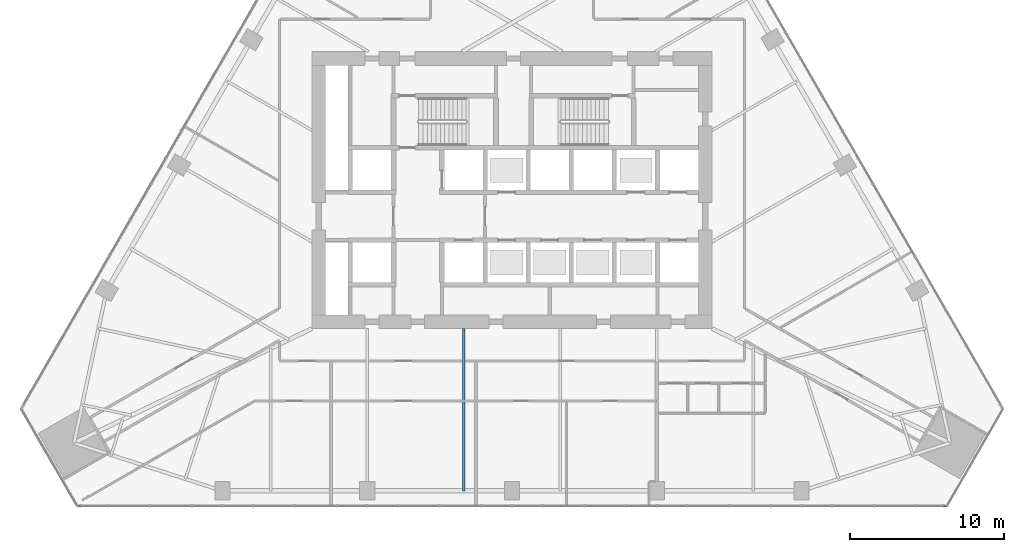
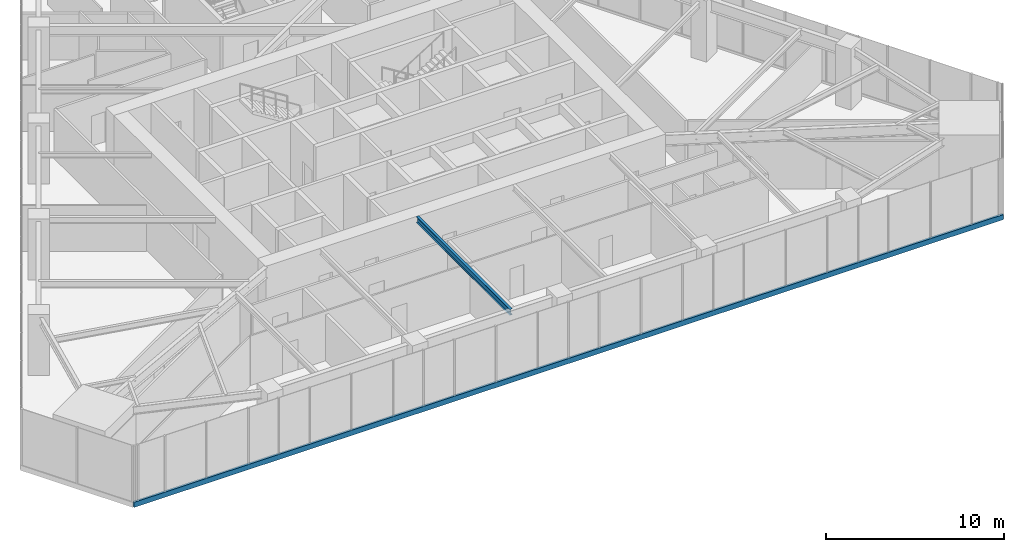
# One storey, part 3 of 21: 1 beam, 1 member, 1 element without a shape of its own.
"""IFC4 building model written with IfcOpenShell, lengths in metres."""

from ifc_helpers import new_model, si_unit, direction, frame, origin, origin_2d, place, context, subcontext, project, spatial, rectangle, i_section, extrude, material, layer, layer_set, material_profile, profile_set, type_object, element, aggregate, save


model = new_model("IFC4")

# Units and contexts
model_context = context("Model", 3, precision=1e-05, world=origin(), true_north=direction((0.0, 1.0)))
body_context = subcontext(model_context, "Body", "Model", "MODEL_VIEW")
ifc_project = project(units=[si_unit("LENGTHUNIT", "METRE"), si_unit("AREAUNIT", "SQUARE_METRE"), si_unit("VOLUMEUNIT", "CUBIC_METRE"), si_unit("PLANEANGLEUNIT", "RADIAN"), si_unit("MASSUNIT", "GRAM", prefix="KILO")], contexts=[model_context])

# Site, building, storey
site_placement = place(None, origin())
site = spatial("IfcSite", under=ifc_project, at=site_placement, CompositionType="ELEMENT")
building_placement = place(site_placement, origin())
building = spatial("IfcBuilding", under=site, at=building_placement, Name="Firuza Gate Tower and Library", CompositionType="ELEMENT")
storey_placement = place(building_placement, frame((0.0, 0.0, 94.60009765625)))
storey = spatial("IfcBuildingStorey", under=building, at=storey_placement, Name="L21", CompositionType="ELEMENT", Elevation=94.60009765625)

# Curtain wall, member
ifc_material_1 = material(Name="Aluminium 6063-T6", Category="aluminium")
ifc_layer = layer(ifc_material_1, 0.14990234375)
ifc_layer_set = layer_set([ifc_layer], Name="Unitised curtain wall, offices")
curtain_wall_type = type_object("IfcCurtainWallType", Name="Unitised curtain wall, offices", PredefinedType="NOTDEFINED", material=ifc_layer_set)
curtain_wall_placement = place(storey_placement, origin())
curtain_wall = element("IfcCurtainWall", 1, at=curtain_wall_placement, inside=storey, type_object=curtain_wall_type, Name="CW1 L21 S face", PredefinedType="NOTDEFINED")
ifc_material_2 = material(Name="Aluminium 6063-T6", Category="aluminium")
ifc_material_profile_1 = material_profile(ifc_material_2, rectangle(XDim=0.14990234375, YDim=0.35009765625, at=origin_2d()))
ifc_profile_set_1 = profile_set([ifc_material_profile_1], Name="Aluminium 6063-T6")
member_type = type_object("IfcMemberType", Name="Curtain wall transom 350x150", PredefinedType="USERDEFINED", material=ifc_profile_set_1)
member_placement = place(storey_placement, frame((46.74658203125, 54.48095703125, -0.025146484375), z_axis=(1.0, 0.0, 0.0), x_axis=(0.0, 1.0, 0.0)))
member = element("IfcMember", 2, at=member_placement, type_object=member_type, Name="Transom", ObjectType="TRANSOM", PredefinedType="USERDEFINED", context=body_context, shape_type="SweptSolid", body=[
    extrude(rectangle(XDim=0.14990234375, YDim=0.35009765625, at=origin_2d()), origin(), (0.0, 0.0, 1.0), 56.5068359375),
])
aggregate(curtain_wall, [member])

# Beam
ifc_material_3 = material(Name="Steel S355", Category="steel")
ifc_material_profile_2 = material_profile(ifc_material_3, i_section(OverallWidth=0.177978515625, OverallDepth=0.406982421875, WebThickness=0.0078125, FlangeThickness=0.0126953125, at=origin_2d()))
ifc_profile_set_2 = profile_set([ifc_material_profile_2], Name="Steel S355")
beam_type = type_object("IfcBeamType", Name="W410x60 Floor beam", PredefinedType="JOIST", material=ifc_profile_set_2)
beam_placement = place(storey_placement, frame((71.865478515625, 55.4560546875, 3.79638671875), z_axis=(0.0, 1.0, 0.0), x_axis=(-1.0, 0.0, 0.0)))
element("IfcBeam", 3, at=beam_placement, inside=storey, type_object=beam_type, Name="Floor beam L21 s22", PredefinedType="JOIST", context=body_context, shape_type="SweptSolid", body=[
    extrude(i_section(OverallWidth=0.177978515625, OverallDepth=0.406982421875, WebThickness=0.0078125, FlangeThickness=0.0126953125, at=origin_2d()), origin(), (0.0, 0.0, 1.0), 10.5439453125),
])

save(model, "model.ifc")
